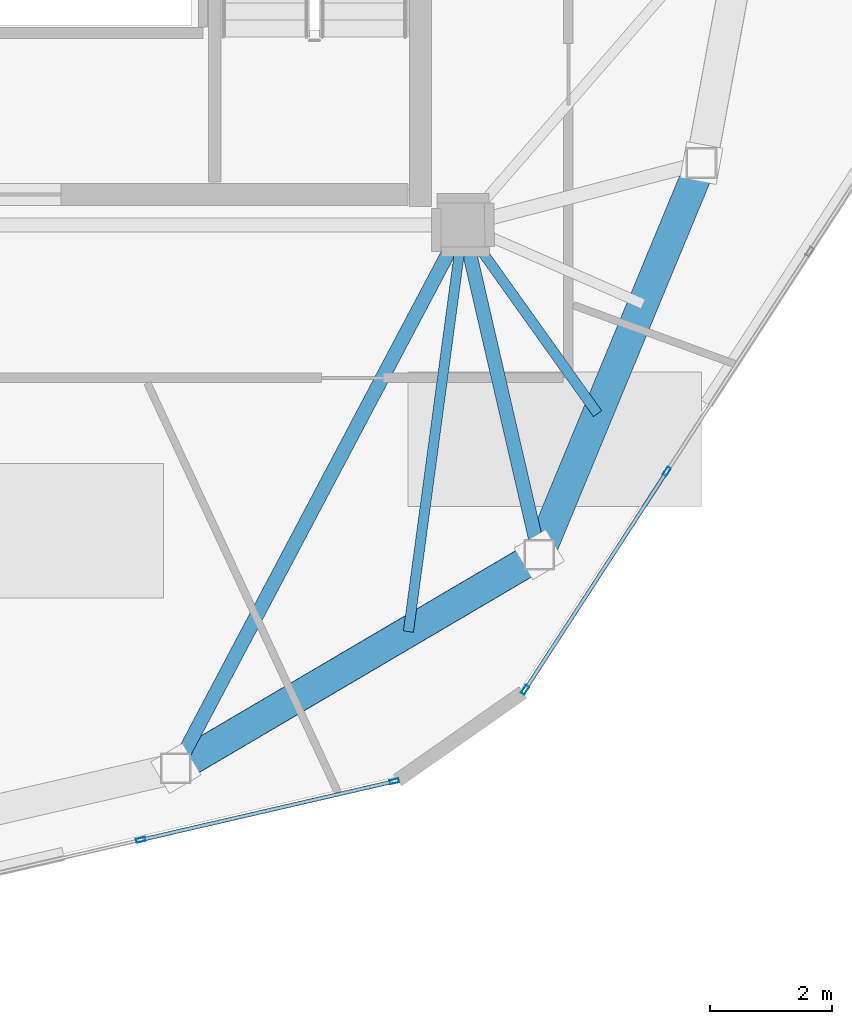
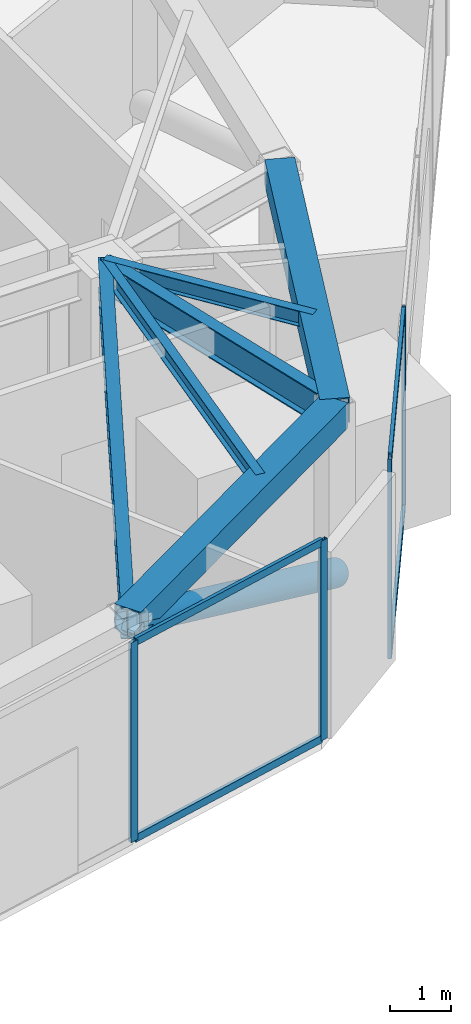
# One storey, part 7 of 21: 9 members, 6 beams, 2 elements without a shape of their own.
"""IFC4 building model written with IfcOpenShell, lengths in metres."""

from ifc_helpers import new_model, si_unit, direction, frame, origin, origin_2d, place, context, subcontext, project, spatial, hollow_rectangle, hollow_circle, i_section, extrude, source, transform, mapped, material, layer, layer_set, material_profile, profile_set, type_object, type_shapes, element, aggregate, save


model = new_model("IFC4")

# Units and contexts
model_context = context("Model", 3, precision=1e-05, world=origin(), true_north=direction((0.0, 1.0)))
body_context = subcontext(model_context, "Body", "Model", "MODEL_VIEW")
ifc_project = project(units=[si_unit("LENGTHUNIT", "METRE"), si_unit("AREAUNIT", "SQUARE_METRE"), si_unit("VOLUMEUNIT", "CUBIC_METRE"), si_unit("PLANEANGLEUNIT", "RADIAN"), si_unit("MASSUNIT", "GRAM", prefix="KILO")], contexts=[model_context])

# Site, building, storey
site_placement = place(None, origin())
site = spatial("IfcSite", under=ifc_project, at=site_placement, CompositionType="ELEMENT")
building_placement = place(site_placement, origin())
building = spatial("IfcBuilding", under=site, at=building_placement, Name="Talar Marvaseh", CompositionType="ELEMENT")
storey_placement = place(building_placement, frame((0.0, 0.0, 308.0)))
storey = spatial("IfcBuildingStorey", under=building, at=storey_placement, Name="L82", CompositionType="ELEMENT", Elevation=308.0)

# Beams
ifc_material_1 = material(Name="Steel S460", Category="steel")
ifc_material_profile_1 = material_profile(ifc_material_1, hollow_rectangle(XDim=0.5, YDim=0.5, WallThickness=0.02490234375, at=origin_2d()), Name="BOX500x500x25")
ifc_profile_set_1 = profile_set([ifc_material_profile_1], Name="Steel S460")
beam_type_1 = type_object("IfcBeamType", Name="Crown Frame Top Ring Beam BOX500x500x25", PredefinedType="BEAM", material=ifc_profile_set_1)
beam_1_placement = place(storey_placement, frame((37.197021484375, 26.513916015625, 3.489990234375), z_axis=(-0.382798740112, -0.923831762048, 0.0), x_axis=(0.923831762048, -0.382798740112, 0.0)))
element("IfcBeam", 1, at=beam_1_placement, inside=storey, type_object=beam_type_1, Name="L82 Crown Frame Top Ring Beam BOX500x500x25", PredefinedType="BEAM", context=body_context, shape_type="SweptSolid", body=[
    extrude(hollow_rectangle(XDim=0.5, YDim=0.5, WallThickness=0.02490234375, at=origin_2d()), origin(), (0.0, 0.0, 1.0), 6.9306640625),
])
beam_2_placement = place(storey_placement, frame((34.5439453125, 20.111083984375, 3.489990234375), z_axis=(-0.861894136287, -0.507088254482, 0.0), x_axis=(0.507088254482, -0.861894136287, 0.0)))
element("IfcBeam", 2, at=beam_2_placement, inside=storey, type_object=beam_type_1, Name="L82 Crown Frame Top Ring Beam BOX500x500x25", PredefinedType="BEAM", context=body_context, shape_type="SweptSolid", body=[
    extrude(hollow_rectangle(XDim=0.5, YDim=0.5, WallThickness=0.02490234375, at=origin_2d()), origin(), (0.0, 0.0, 1.0), 6.890625),
])
ifc_material_2 = material(Name="Steel S355", Category="steel")
ifc_material_profile_2 = material_profile(ifc_material_2, i_section(OverallWidth=0.166015625, OverallDepth=0.31298828125, WebThickness=0.006591796875, FlangeThickness=0.01123046875, at=origin_2d()), Name="W310x45")
ifc_profile_set_2 = profile_set([ifc_material_profile_2], Name="Steel S355")
beam_type_2 = type_object("IfcBeamType", Name="Zone 3 Secondary Floor Joist W310x45", PredefinedType="JOIST", material=ifc_profile_set_2)
beam_3_placement = place(storey_placement, frame((35.4990234375, 22.416015625, 3.58349609375), z_axis=(-0.580561197682, 0.814216614757, 0.0), x_axis=(-0.814216614757, -0.580561197682, 0.0)))
element("IfcBeam", 3, at=beam_3_placement, inside=storey, type_object=beam_type_2, Name="L82 Zone 3 Secondary Floor Joist W310x45", PredefinedType="JOIST", context=body_context, shape_type="SweptSolid", body=[
    extrude(i_section(OverallWidth=0.166015625, OverallDepth=0.31298828125, WebThickness=0.006591796875, FlangeThickness=0.01123046875, at=origin_2d()), origin(), (0.0, 0.0, 1.0), 3.78759765625),
])
beam_4_placement = place(storey_placement, frame((32.406005859375, 18.853271484375, 3.58349609375), z_axis=(0.133308183872, 0.991074632968, 0.0), x_axis=(-0.991074632968, 0.133308183872, 0.0)))
element("IfcBeam", 4, at=beam_4_placement, inside=storey, type_object=beam_type_2, Name="L82 Zone 3 Secondary Floor Joist W310x45", PredefinedType="JOIST", context=body_context, shape_type="SweptSolid", body=[
    extrude(i_section(OverallWidth=0.166015625, OverallDepth=0.31298828125, WebThickness=0.006591796875, FlangeThickness=0.01123046875, at=origin_2d()), origin(), (0.0, 0.0, 1.0), 6.70654296875),
])
ifc_material_profile_3 = material_profile(ifc_material_2, i_section(OverallWidth=0.22998046875, OverallDepth=0.616943359375, WebThickness=0.01318359375, FlangeThickness=0.022216796875, at=origin_2d()), Name="W610x140")
ifc_profile_set_3 = profile_set([ifc_material_profile_3], Name="Steel S355")
beam_type_3 = type_object("IfcBeamType", Name="Zone 4 Radial Floor Girder W610x140", PredefinedType="BEAM", material=ifc_profile_set_3)
beam_5_placement = place(storey_placement, frame((34.5439453125, 20.111083984375, 3.431396484375), z_axis=(-0.22491108979, 0.974379290466, 0.0), x_axis=(-0.974379290466, -0.22491108979, 0.0)))
element("IfcBeam", 5, at=beam_5_placement, inside=storey, type_object=beam_type_3, Name="L82 Zone 4 Radial Floor Girder W610x140", PredefinedType="BEAM", context=body_context, shape_type="SweptSolid", body=[
    extrude(i_section(OverallWidth=0.22998046875, OverallDepth=0.616943359375, WebThickness=0.01318359375, FlangeThickness=0.022216796875, at=origin_2d()), origin(), (0.0, 0.0, 1.0), 5.530517578125),
])
beam_6_placement = place(storey_placement, frame((28.60498046875, 16.616943359375, 3.431396484375), z_axis=(0.467286976471, 0.884105695955, 0.0), x_axis=(-0.884105695955, 0.467286976471, 0.0)))
element("IfcBeam", 6, at=beam_6_placement, inside=storey, type_object=beam_type_3, Name="L82 Zone 4 Radial Floor Girder W610x140", PredefinedType="BEAM", context=body_context, shape_type="SweptSolid", body=[
    extrude(i_section(OverallWidth=0.22998046875, OverallDepth=0.616943359375, WebThickness=0.01318359375, FlangeThickness=0.022216796875, at=origin_2d()), origin(), (0.0, 0.0, 1.0), 10.047607421875),
])

# Member
ifc_material_profile_4 = material_profile(ifc_material_1, hollow_circle(Radius=0.25390625, WallThickness=0.02001953125, at=origin_2d()), Name="CHS508x20")
ifc_profile_set_4 = profile_set([ifc_material_profile_4], Name="Steel S460")
member_type_1 = type_object("IfcMemberType", Name="Crown Frame Diagonal Brace CHS508x20", PredefinedType="BRACE", material=ifc_profile_set_4)
shared_shape_1 = source(origin(), body_context, "Body", "SweptSolid", [
    extrude(hollow_circle(Radius=0.25390625, WallThickness=0.02001953125, at=origin_2d()), origin(), (0.0, 0.0, 1.0), 7.6142578125),
])
type_shapes(member_type_1, [shared_shape_1])
member_1_placement = place(storey_placement, frame((34.5439453125, 20.111083984375, 0.25), z_axis=(-0.779973177808, -0.458890739159, 0.425512786429), x_axis=(0.507088254482, -0.861894136287, 0.0)))
element("IfcMember", 7, at=member_1_placement, inside=storey, type_object=member_type_1, Name="L82 Crown Frame Diagonal Brace 9", PredefinedType="BRACE", context=body_context, shape_type="MappedRepresentation", body=[
    mapped(shared_shape_1, transform((0.0, 0.0, 0.0), x_axis=(1.0, 0.0, 0.0), y_axis=(0.0, 1.0, 0.0), z_axis=(0.0, 0.0, 1.0), scale=1.0)),
])

# Curtain wall, members
ifc_material_3 = material(Name="Architectural Aluminium", Category="aluminium")
ifc_layer = layer(ifc_material_3, 0.2099609375)
ifc_layer_set = layer_set([ifc_layer], Name="Architectural Aluminium")
curtain_wall_type = type_object("IfcCurtainWallType", Name="Crown Plant Acoustic Spandrel Curtain Wall", PredefinedType="NOTDEFINED", material=ifc_layer_set)
curtain_wall_1_placement = place(storey_placement, origin())
curtain_wall_1 = element("IfcCurtainWall", 8, at=curtain_wall_1_placement, inside=storey, type_object=curtain_wall_type, Name="L82 Crown Plant Acoustic Spandrel Curtain Wall", PredefinedType="NOTDEFINED")
ifc_material_profile_5 = material_profile(ifc_material_3, hollow_rectangle(XDim=0.06494140625, YDim=0.14990234375, WallThickness=0.00390625, at=origin_2d()), Name="RHS150x65x4")
ifc_profile_set_5 = profile_set([ifc_material_profile_5], Name="Architectural Aluminium")
member_type_2 = type_object("IfcMemberType", Name="Unitised Curtain Wall Slim Transom RHS150x65x4", PredefinedType="USERDEFINED", material=ifc_profile_set_5)
shared_shape_2 = source(origin(), body_context, "Body", "SweptSolid", [
    extrude(hollow_rectangle(XDim=0.06494140625, YDim=0.14990234375, WallThickness=0.00390625, at=origin_2d()), origin(), (0.0, 0.0, 1.0), 4.188720703125),
])
type_shapes(member_type_2, [shared_shape_2])
member_2_placement = place(storey_placement, frame((36.612060546875, 21.44140625, 0.032470703125), z_axis=(-0.544734287776, -0.838608702388, 0.0), x_axis=(0.838608702388, -0.544734287776, 0.0)))
member_2 = element("IfcMember", 9, at=member_2_placement, type_object=member_type_2, Name="CW-CRN transom 4.1", ObjectType="TRANSOM", PredefinedType="USERDEFINED", context=body_context, shape_type="MappedRepresentation", body=[
    mapped(shared_shape_2, transform((0.0, 0.0, 0.0), x_axis=(1.0, 0.0, 0.0), y_axis=(0.0, 1.0, 0.0), z_axis=(0.0, 0.0, 1.0), scale=1.0)),
])
member_3_placement = place(storey_placement, frame((36.612060546875, 21.44140625, 3.967529296875), z_axis=(-0.544734287776, -0.838608702388, 0.0), x_axis=(0.838608702388, -0.544734287776, 0.0)))
member_3 = element("IfcMember", 10, at=member_3_placement, type_object=member_type_2, Name="CW-CRN transom 4.2", ObjectType="TRANSOM", PredefinedType="USERDEFINED", context=body_context, shape_type="MappedRepresentation", body=[
    mapped(shared_shape_2, transform((0.0, 0.0, 0.0), x_axis=(1.0, 0.0, 0.0), y_axis=(0.0, 1.0, 0.0), z_axis=(0.0, 0.0, 1.0), scale=1.0)),
])

curtain_wall_2_placement = place(storey_placement, origin())
curtain_wall_2 = element("IfcCurtainWall", 11, at=curtain_wall_2_placement, inside=storey, type_object=curtain_wall_type, Name="L82 Crown Plant Acoustic Spandrel Curtain Wall", PredefinedType="NOTDEFINED")
member_4_placement = place(storey_placement, frame((32.144775390625, 16.398681640625, 0.032470703125), z_axis=(-0.974321401186, -0.225161735629, 0.0), x_axis=(0.225161735629, -0.974321401186, 0.0)))
member_4 = element("IfcMember", 12, at=member_4_placement, type_object=member_type_2, Name="CW-CRN transom 1.1", ObjectType="TRANSOM", PredefinedType="USERDEFINED", context=body_context, shape_type="MappedRepresentation", body=[
    mapped(shared_shape_2, transform((0.0, 0.0, 0.0), x_axis=(1.0, 0.0, 0.0), y_axis=(0.0, 1.0, 0.0), z_axis=(0.0, 0.0, 1.0), scale=1.0)),
])
member_5_placement = place(storey_placement, frame((32.144775390625, 16.398681640625, 3.967529296875), z_axis=(-0.974321401186, -0.225161735629, 0.0), x_axis=(0.225161735629, -0.974321401186, 0.0)))
member_5 = element("IfcMember", 13, at=member_5_placement, type_object=member_type_2, Name="CW-CRN transom 1.2", ObjectType="TRANSOM", PredefinedType="USERDEFINED", context=body_context, shape_type="MappedRepresentation", body=[
    mapped(shared_shape_2, transform((0.0, 0.0, 0.0), x_axis=(1.0, 0.0, 0.0), y_axis=(0.0, 1.0, 0.0), z_axis=(0.0, 0.0, 1.0), scale=1.0)),
])

# Member
ifc_material_profile_6 = material_profile(ifc_material_3, hollow_rectangle(XDim=0.06494140625, YDim=0.14990234375, WallThickness=0.00390625, at=origin_2d()), Name="RHS150x65x4")
ifc_profile_set_6 = profile_set([ifc_material_profile_6], Name="Architectural Aluminium")
member_type_3 = type_object("IfcMemberType", Name="Unitised Curtain Wall Slim Mullion RHS150x65x4", PredefinedType="MULLION", material=ifc_profile_set_6)
shared_shape_3 = source(origin(), body_context, "Body", "SweptSolid", [
    extrude(hollow_rectangle(XDim=0.06494140625, YDim=0.14990234375, WallThickness=0.00390625, at=origin_2d()), origin(), (0.0, 0.0, 1.0), 4.0),
])
type_shapes(member_type_3, [shared_shape_3])
member_6_placement = place(storey_placement, frame((36.6298828125, 21.46875, 0.0), z_axis=(0.0, 0.0, 1.0), x_axis=(0.838585906919, -0.544769379387, 0.0)))
member_6 = element("IfcMember", 14, at=member_6_placement, type_object=member_type_3, Name="CW-CRN mullion 4", PredefinedType="MULLION", context=body_context, shape_type="MappedRepresentation", body=[
    mapped(shared_shape_3, transform((0.0, 0.0, 0.0), x_axis=(1.0, 0.0, 0.0), y_axis=(0.0, 1.0, 0.0), z_axis=(0.0, 0.0, 1.0), scale=1.0)),
])

member_7_placement = place(storey_placement, frame((34.3125, 17.901611328125, 0.0), z_axis=(0.0, 0.0, 1.0), x_axis=(0.838585906919, -0.544769379387, 0.0)))
member_7 = element("IfcMember", 15, at=member_7_placement, type_object=member_type_3, Name="CW-CRN mullion 5", PredefinedType="MULLION", context=body_context, shape_type="MappedRepresentation", body=[
    mapped(shared_shape_3, transform((0.0, 0.0, 0.0), x_axis=(1.0, 0.0, 0.0), y_axis=(0.0, 1.0, 0.0), z_axis=(0.0, 0.0, 1.0), scale=1.0)),
])

aggregate(curtain_wall_1, [member_6, member_7, member_2, member_3])

member_8_placement = place(storey_placement, frame((32.176513671875, 16.406005859375, 0.0), z_axis=(0.0, 0.0, 1.0), x_axis=(0.225103157943, -0.974334936397, 0.0)))
member_8 = element("IfcMember", 16, at=member_8_placement, type_object=member_type_3, Name="CW-CRN mullion 1", PredefinedType="MULLION", context=body_context, shape_type="MappedRepresentation", body=[
    mapped(shared_shape_3, transform((0.0, 0.0, 0.0), x_axis=(1.0, 0.0, 0.0), y_axis=(0.0, 1.0, 0.0), z_axis=(0.0, 0.0, 1.0), scale=1.0)),
])

member_9_placement = place(storey_placement, frame((28.031982421875, 15.4482421875, 0.0), z_axis=(0.0, 0.0, 1.0), x_axis=(0.225103157943, -0.974334936397, 0.0)))
member_9 = element("IfcMember", 17, at=member_9_placement, type_object=member_type_3, Name="CW-CRN mullion 2", PredefinedType="MULLION", context=body_context, shape_type="MappedRepresentation", body=[
    mapped(shared_shape_3, transform((0.0, 0.0, 0.0), x_axis=(1.0, 0.0, 0.0), y_axis=(0.0, 1.0, 0.0), z_axis=(0.0, 0.0, 1.0), scale=1.0)),
])

aggregate(curtain_wall_2, [member_8, member_9, member_4, member_5])

save(model, "model.ifc")
